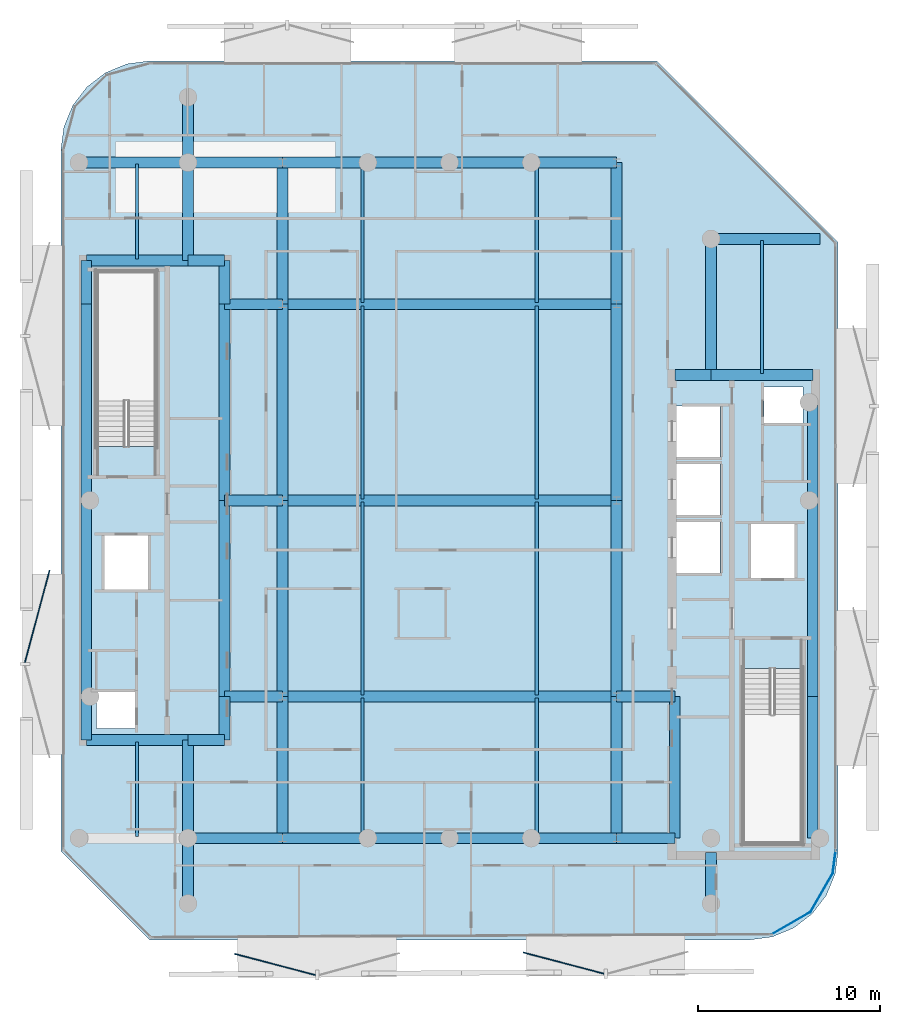
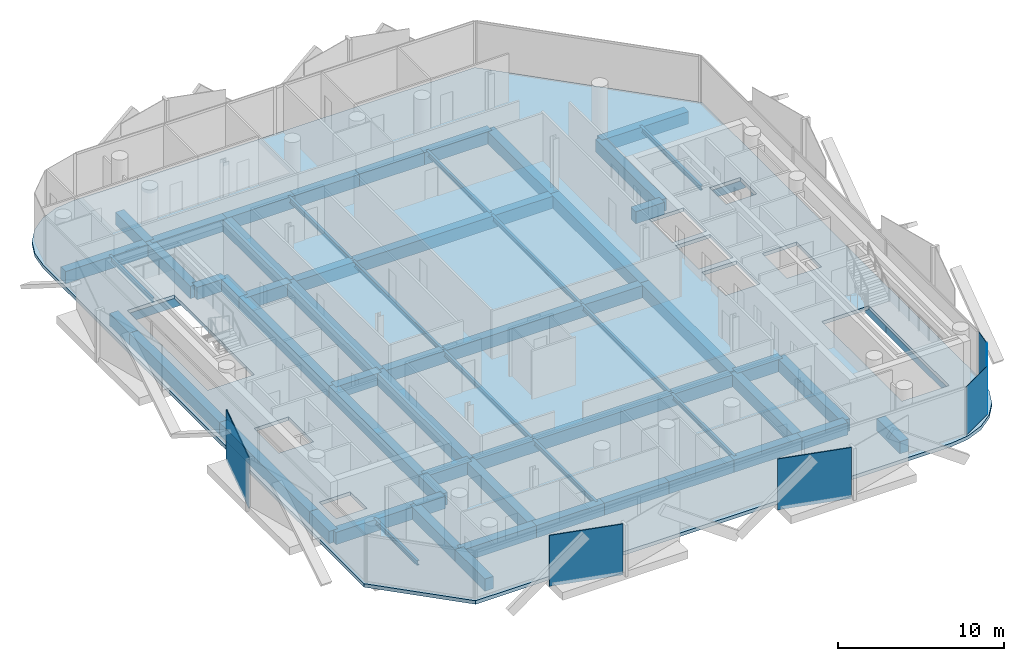
# One storey, part 3 of 16: 63 beams, 6 plates, 1 slab.
"""IFC4 building model written with IfcOpenShell, lengths in metres."""

from ifc_helpers import new_model, si_unit, direction, frame, origin, origin_2d, place, context, subcontext, project, spatial, polyline, rectangle, i_section, outline, extrude, material, layer, layer_set, material_profile, profile_set, type_object, element, save


model = new_model("IFC4")

# Units and contexts
model_context = context("Model", 3, precision=1e-05, world=origin(), true_north=direction((0.0, 1.0)))
body_context = subcontext(model_context, "Body", "Model", "MODEL_VIEW")
ifc_project = project(units=[si_unit("LENGTHUNIT", "METRE"), si_unit("AREAUNIT", "SQUARE_METRE"), si_unit("VOLUMEUNIT", "CUBIC_METRE"), si_unit("PLANEANGLEUNIT", "RADIAN"), si_unit("MASSUNIT", "GRAM", prefix="KILO")], contexts=[model_context])

# Site, building, storey
site_placement = place(None, origin())
site = spatial("IfcSite", under=ifc_project, at=site_placement, CompositionType="ELEMENT")
building_placement = place(site_placement, origin())
building = spatial("IfcBuilding", under=site, at=building_placement, Name="Khairoan Windgate Tower", CompositionType="ELEMENT")
storey_placement = place(building_placement, frame((0.0, 0.0, 277.60009765625)))
storey = spatial("IfcBuildingStorey", under=building, at=storey_placement, Name="L66", CompositionType="ELEMENT", Elevation=277.60009765625)

# Beams
ifc_material_1 = material(Name="Concrete C50/60", Category="concrete")
ifc_material_profile_1 = material_profile(ifc_material_1, rectangle(XDim=0.60009765625, YDim=0.89990234375, at=origin_2d()))
ifc_profile_set_1 = profile_set([ifc_material_profile_1], Name="Concrete C50/60")
beam_type_1 = type_object("IfcBeamType", Name="Beam B-RC1 RC600x900", PredefinedType="BEAM", material=ifc_profile_set_1)
beam_1_placement = place(storey_placement, frame((-14.39990234375, -18.60009765625, -0.710205078125), z_axis=(1.0, 0.0, 0.0), x_axis=(0.0, 1.0, 0.0)))
element("IfcBeam", 1, at=beam_1_placement, inside=storey, type_object=beam_type_1, Name="L66 E-W Primary Girder 02", PredefinedType="BEAM", context=body_context, shape_type="SweptSolid", body=[
    extrude(rectangle(XDim=0.60009765625, YDim=0.89990234375, at=origin_2d()), origin(), (0.0, 0.0, 1.0), 5.199951171875),
])
beam_2_placement = place(storey_placement, frame((-9.199951171875, -18.60009765625, -0.710205078125), z_axis=(1.0, 0.0, 0.0), x_axis=(0.0, 1.0, 0.0)))
element("IfcBeam", 2, at=beam_2_placement, inside=storey, type_object=beam_type_1, Name="L66 E-W Primary Girder 03", PredefinedType="BEAM", context=body_context, shape_type="SweptSolid", body=[
    extrude(rectangle(XDim=0.60009765625, YDim=0.89990234375, at=origin_2d()), origin(), (0.0, 0.0, 1.0), 4.699951171875),
])
for number, where, z_axis, x_axis, name in (
    (3, (-4.5, -18.60009765625, -0.710205078125), (1.0, 0.0, 0.0), (0.0, 1.0, 0.0), "L66 E-W Primary Girder 04"),
    (4, (0.0, -18.60009765625, -0.710205078125), (1.0, 0.0, 0.0), (0.0, 1.0, 0.0), "L66 E-W Primary Girder 05"),
):
    element("IfcBeam", number, at=place(storey_placement, frame(where, z_axis=z_axis, x_axis=x_axis)), inside=storey, type_object=beam_type_1, Name=name, PredefinedType="BEAM", context=body_context, shape_type="SweptSolid", body=[
        extrude(rectangle(XDim=0.60009765625, YDim=0.89990234375, at=origin_2d()), origin(), (0.0, 0.0, 1.0), 4.5),
    ])
beam_3_placement = place(storey_placement, frame((4.5, -18.60009765625, -0.710205078125), z_axis=(1.0, 0.0, 0.0), x_axis=(0.0, 1.0, 0.0)))
element("IfcBeam", 5, at=beam_3_placement, inside=storey, type_object=beam_type_1, Name="L66 E-W Primary Girder 06", PredefinedType="BEAM", context=body_context, shape_type="SweptSolid", body=[
    extrude(rectangle(XDim=0.60009765625, YDim=0.89990234375, at=origin_2d()), origin(), (0.0, 0.0, 1.0), 4.699951171875),
])
beam_4_placement = place(storey_placement, frame((9.199951171875, -18.60009765625, -0.710205078125), z_axis=(1.0, 0.0, 0.0), x_axis=(0.0, 1.0, 0.0)))
element("IfcBeam", 6, at=beam_4_placement, inside=storey, type_object=beam_type_1, Name="L66 E-W Primary Girder 07", PredefinedType="BEAM", context=body_context, shape_type="SweptSolid", body=[
    extrude(rectangle(XDim=0.60009765625, YDim=0.89990234375, at=origin_2d()), origin(), (0.0, 0.0, 1.0), 3.199951171875),
])
beam_5_placement = place(storey_placement, frame((-20.0, -13.199951171875, -0.710205078125), z_axis=(1.0, 0.0, 0.0), x_axis=(0.0, 1.0, 0.0)))
element("IfcBeam", 7, at=beam_5_placement, inside=storey, type_object=beam_type_1, Name="L66 E-W Primary Girder 08", PredefinedType="BEAM", context=body_context, shape_type="SweptSolid", body=[
    extrude(rectangle(XDim=0.60009765625, YDim=0.89990234375, at=origin_2d()), origin(), (0.0, 0.0, 1.0), 5.60009765625),
])
beam_6_placement = place(storey_placement, frame((-14.39990234375, -13.199951171875, -0.710205078125), z_axis=(1.0, 0.0, 0.0), x_axis=(0.0, 1.0, 0.0)))
element("IfcBeam", 8, at=beam_6_placement, inside=storey, type_object=beam_type_1, Name="L66 E-W Primary Girder 09", PredefinedType="BEAM", context=body_context, shape_type="SweptSolid", body=[
    extrude(rectangle(XDim=0.60009765625, YDim=0.89990234375, at=origin_2d()), origin(), (0.0, 0.0, 1.0), 2.0),
])
beam_7_placement = place(storey_placement, frame((-12.39990234375, -10.800048828125, -0.710205078125), z_axis=(1.0, 0.0, 0.0), x_axis=(0.0, 1.0, 0.0)))
element("IfcBeam", 9, at=beam_7_placement, inside=storey, type_object=beam_type_1, Name="L66 E-W Primary Girder 10", PredefinedType="BEAM", context=body_context, shape_type="SweptSolid", body=[
    extrude(rectangle(XDim=0.60009765625, YDim=0.89990234375, at=origin_2d()), origin(), (0.0, 0.0, 1.0), 3.199951171875),
])
beam_8_placement = place(storey_placement, frame((-9.199951171875, -10.800048828125, -0.710205078125), z_axis=(1.0, 0.0, 0.0), x_axis=(0.0, 1.0, 0.0)))
element("IfcBeam", 10, at=beam_8_placement, inside=storey, type_object=beam_type_1, Name="L66 E-W Primary Girder 11", PredefinedType="BEAM", context=body_context, shape_type="SweptSolid", body=[
    extrude(rectangle(XDim=0.60009765625, YDim=0.89990234375, at=origin_2d()), origin(), (0.0, 0.0, 1.0), 18.39990234375),
])
for number, where, z_axis, x_axis, name in (
    (11, (9.199951171875, -10.800048828125, -0.710205078125), (1.0, 0.0, 0.0), (0.0, 1.0, 0.0), "L66 E-W Primary Girder 12"),
    (12, (-12.39990234375, 0.0, -0.710205078125), (1.0, 0.0, 0.0), (0.0, 1.0, 0.0), "L66 E-W Primary Girder 13"),
):
    element("IfcBeam", number, at=place(storey_placement, frame(where, z_axis=z_axis, x_axis=x_axis)), inside=storey, type_object=beam_type_1, Name=name, PredefinedType="BEAM", context=body_context, shape_type="SweptSolid", body=[
        extrude(rectangle(XDim=0.60009765625, YDim=0.89990234375, at=origin_2d()), origin(), (0.0, 0.0, 1.0), 3.199951171875),
    ])
beam_9_placement = place(storey_placement, frame((-9.199951171875, 0.0, -0.710205078125), z_axis=(1.0, 0.0, 0.0), x_axis=(0.0, 1.0, 0.0)))
element("IfcBeam", 13, at=beam_9_placement, inside=storey, type_object=beam_type_1, Name="L66 E-W Primary Girder 14", PredefinedType="BEAM", context=body_context, shape_type="SweptSolid", body=[
    extrude(rectangle(XDim=0.60009765625, YDim=0.89990234375, at=origin_2d()), origin(), (0.0, 0.0, 1.0), 18.39990234375),
])
beam_10_placement = place(storey_placement, frame((12.39990234375, 6.89990234375, -0.710205078125), z_axis=(1.0, 0.0, 0.0), x_axis=(0.0, 1.0, 0.0)))
element("IfcBeam", 14, at=beam_10_placement, inside=storey, type_object=beam_type_1, Name="L66 E-W Primary Girder 15", PredefinedType="BEAM", context=body_context, shape_type="SweptSolid", body=[
    extrude(rectangle(XDim=0.60009765625, YDim=0.89990234375, at=origin_2d()), origin(), (0.0, 0.0, 1.0), 2.0),
])
beam_11_placement = place(storey_placement, frame((14.39990234375, 6.89990234375, -0.710205078125), z_axis=(1.0, 0.0, 0.0), x_axis=(0.0, 1.0, 0.0)))
element("IfcBeam", 15, at=beam_11_placement, inside=storey, type_object=beam_type_1, Name="L66 E-W Primary Girder 16", PredefinedType="BEAM", context=body_context, shape_type="SweptSolid", body=[
    extrude(rectangle(XDim=0.60009765625, YDim=0.89990234375, at=origin_2d()), origin(), (0.0, 0.0, 1.0), 5.60009765625),
])
beam_12_placement = place(storey_placement, frame((-12.39990234375, 10.800048828125, -0.710205078125), z_axis=(1.0, 0.0, 0.0), x_axis=(0.0, 1.0, 0.0)))
element("IfcBeam", 16, at=beam_12_placement, inside=storey, type_object=beam_type_1, Name="L66 E-W Primary Girder 17", PredefinedType="BEAM", context=body_context, shape_type="SweptSolid", body=[
    extrude(rectangle(XDim=0.60009765625, YDim=0.89990234375, at=origin_2d()), origin(), (0.0, 0.0, 1.0), 3.199951171875),
])
beam_13_placement = place(storey_placement, frame((-9.199951171875, 10.800048828125, -0.710205078125), z_axis=(1.0, 0.0, 0.0), x_axis=(0.0, 1.0, 0.0)))
element("IfcBeam", 17, at=beam_13_placement, inside=storey, type_object=beam_type_1, Name="L66 E-W Primary Girder 18", PredefinedType="BEAM", context=body_context, shape_type="SweptSolid", body=[
    extrude(rectangle(XDim=0.60009765625, YDim=0.89990234375, at=origin_2d()), origin(), (0.0, 0.0, 1.0), 18.39990234375),
])
beam_14_placement = place(storey_placement, frame((-20.0, 13.199951171875, -0.710205078125), z_axis=(1.0, 0.0, 0.0), x_axis=(0.0, 1.0, 0.0)))
element("IfcBeam", 18, at=beam_14_placement, inside=storey, type_object=beam_type_1, Name="L66 E-W Primary Girder 19", PredefinedType="BEAM", context=body_context, shape_type="SweptSolid", body=[
    extrude(rectangle(XDim=0.60009765625, YDim=0.89990234375, at=origin_2d()), origin(), (0.0, 0.0, 1.0), 5.60009765625),
])
beam_15_placement = place(storey_placement, frame((-14.39990234375, 13.199951171875, -0.710205078125), z_axis=(1.0, 0.0, 0.0), x_axis=(0.0, 1.0, 0.0)))
element("IfcBeam", 19, at=beam_15_placement, inside=storey, type_object=beam_type_1, Name="L66 E-W Primary Girder 20", PredefinedType="BEAM", context=body_context, shape_type="SweptSolid", body=[
    extrude(rectangle(XDim=0.60009765625, YDim=0.89990234375, at=origin_2d()), origin(), (0.0, 0.0, 1.0), 2.0),
])
for number, where, z_axis, x_axis, name in (
    (20, (14.39990234375, 14.39990234375, -0.710205078125), (1.0, 0.0, 0.0), (0.0, 1.0, 0.0), "L66 E-W Primary Girder 21"),
    (21, (-20.39990234375, 18.60009765625, -0.710205078125), (1.0, 0.0, 0.0), (0.0, 1.0, 0.0), "L66 E-W Primary Girder 22"),
):
    element("IfcBeam", number, at=place(storey_placement, frame(where, z_axis=z_axis, x_axis=x_axis)), inside=storey, type_object=beam_type_1, Name=name, PredefinedType="BEAM", context=body_context, shape_type="SweptSolid", body=[
        extrude(rectangle(XDim=0.60009765625, YDim=0.89990234375, at=origin_2d()), origin(), (0.0, 0.0, 1.0), 6.0),
    ])
beam_16_placement = place(storey_placement, frame((-14.39990234375, 18.60009765625, -0.710205078125), z_axis=(1.0, 0.0, 0.0), x_axis=(0.0, 1.0, 0.0)))
element("IfcBeam", 22, at=beam_16_placement, inside=storey, type_object=beam_type_1, Name="L66 E-W Primary Girder 23", PredefinedType="BEAM", context=body_context, shape_type="SweptSolid", body=[
    extrude(rectangle(XDim=0.60009765625, YDim=0.89990234375, at=origin_2d()), origin(), (0.0, 0.0, 1.0), 5.199951171875),
])
beam_17_placement = place(storey_placement, frame((-9.199951171875, 18.60009765625, -0.710205078125), z_axis=(1.0, 0.0, 0.0), x_axis=(0.0, 1.0, 0.0)))
element("IfcBeam", 23, at=beam_17_placement, inside=storey, type_object=beam_type_1, Name="L66 E-W Primary Girder 24", PredefinedType="BEAM", context=body_context, shape_type="SweptSolid", body=[
    extrude(rectangle(XDim=0.60009765625, YDim=0.89990234375, at=origin_2d()), origin(), (0.0, 0.0, 1.0), 4.699951171875),
])
for number, where, z_axis, x_axis, name in (
    (24, (-4.5, 18.60009765625, -0.710205078125), (1.0, 0.0, 0.0), (0.0, 1.0, 0.0), "L66 E-W Primary Girder 25"),
    (25, (0.0, 18.60009765625, -0.710205078125), (1.0, 0.0, 0.0), (0.0, 1.0, 0.0), "L66 E-W Primary Girder 26"),
):
    element("IfcBeam", number, at=place(storey_placement, frame(where, z_axis=z_axis, x_axis=x_axis)), inside=storey, type_object=beam_type_1, Name=name, PredefinedType="BEAM", context=body_context, shape_type="SweptSolid", body=[
        extrude(rectangle(XDim=0.60009765625, YDim=0.89990234375, at=origin_2d()), origin(), (0.0, 0.0, 1.0), 4.5),
    ])
beam_18_placement = place(storey_placement, frame((4.5, 18.60009765625, -0.710205078125), z_axis=(1.0, 0.0, 0.0), x_axis=(0.0, 1.0, 0.0)))
element("IfcBeam", 26, at=beam_18_placement, inside=storey, type_object=beam_type_1, Name="L66 E-W Primary Girder 27", PredefinedType="BEAM", context=body_context, shape_type="SweptSolid", body=[
    extrude(rectangle(XDim=0.60009765625, YDim=0.89990234375, at=origin_2d()), origin(), (0.0, 0.0, 1.0), 4.699951171875),
])
beam_19_placement = place(storey_placement, frame((-20.0, -13.199951171875, -0.710205078125), z_axis=(0.0, 1.0, 0.0), x_axis=(-1.0, 0.0, 0.0)))
element("IfcBeam", 27, at=beam_19_placement, inside=storey, type_object=beam_type_1, Name="L66 N-S Primary Beam 28", PredefinedType="BEAM", context=body_context, shape_type="SweptSolid", body=[
    extrude(rectangle(XDim=0.60009765625, YDim=0.89990234375, at=origin_2d()), origin(), (0.0, 0.0, 1.0), 2.39990234375),
])
for number, where, z_axis, x_axis, name in (
    (28, (-20.0, -10.800048828125, -0.710205078125), (0.0, 1.0, 0.0), (-1.0, 0.0, 0.0), "L66 N-S Primary Beam 29"),
    (29, (-20.0, 0.0, -0.710205078125), (0.0, 1.0, 0.0), (-1.0, 0.0, 0.0), "L66 N-S Primary Beam 30"),
):
    element("IfcBeam", number, at=place(storey_placement, frame(where, z_axis=z_axis, x_axis=x_axis)), inside=storey, type_object=beam_type_1, Name=name, PredefinedType="BEAM", context=body_context, shape_type="SweptSolid", body=[
        extrude(rectangle(XDim=0.60009765625, YDim=0.89990234375, at=origin_2d()), origin(), (0.0, 0.0, 1.0), 10.800048828125),
    ])
beam_20_placement = place(storey_placement, frame((-20.0, 10.800048828125, -0.710205078125), z_axis=(0.0, 1.0, 0.0), x_axis=(-1.0, 0.0, 0.0)))
element("IfcBeam", 30, at=beam_20_placement, inside=storey, type_object=beam_type_1, Name="L66 N-S Primary Beam 31", PredefinedType="BEAM", context=body_context, shape_type="SweptSolid", body=[
    extrude(rectangle(XDim=0.60009765625, YDim=0.89990234375, at=origin_2d()), origin(), (0.0, 0.0, 1.0), 2.39990234375),
])
beam_21_placement = place(storey_placement, frame((-14.39990234375, -22.199951171875, -0.710205078125), z_axis=(0.0, 1.0, 0.0), x_axis=(-1.0, 0.0, 0.0)))
element("IfcBeam", 31, at=beam_21_placement, inside=storey, type_object=beam_type_1, Name="L66 N-S Primary Beam 32", PredefinedType="BEAM", context=body_context, shape_type="SweptSolid", body=[
    extrude(rectangle(XDim=0.60009765625, YDim=0.89990234375, at=origin_2d()), origin(), (0.0, 0.0, 1.0), 3.599853515625),
])
for number, where, z_axis, x_axis, name in (
    (32, (-14.39990234375, -18.60009765625, -0.710205078125), (0.0, 1.0, 0.0), (-1.0, 0.0, 0.0), "L66 N-S Primary Beam 33"),
    (33, (-14.39990234375, 13.199951171875, -0.710205078125), (0.0, 1.0, 0.0), (-1.0, 0.0, 0.0), "L66 N-S Primary Beam 34"),
):
    element("IfcBeam", number, at=place(storey_placement, frame(where, z_axis=z_axis, x_axis=x_axis)), inside=storey, type_object=beam_type_1, Name=name, PredefinedType="BEAM", context=body_context, shape_type="SweptSolid", body=[
        extrude(rectangle(XDim=0.60009765625, YDim=0.89990234375, at=origin_2d()), origin(), (0.0, 0.0, 1.0), 5.400146484375),
    ])
beam_22_placement = place(storey_placement, frame((-14.39990234375, 18.60009765625, -0.710205078125), z_axis=(0.0, 1.0, 0.0), x_axis=(-1.0, 0.0, 0.0)))
element("IfcBeam", 34, at=beam_22_placement, inside=storey, type_object=beam_type_1, Name="L66 N-S Primary Beam 35", PredefinedType="BEAM", context=body_context, shape_type="SweptSolid", body=[
    extrude(rectangle(XDim=0.60009765625, YDim=0.89990234375, at=origin_2d()), origin(), (0.0, 0.0, 1.0), 3.599853515625),
])
beam_23_placement = place(storey_placement, frame((-12.39990234375, -13.199951171875, -0.710205078125), z_axis=(0.0, 1.0, 0.0), x_axis=(-1.0, 0.0, 0.0)))
element("IfcBeam", 35, at=beam_23_placement, inside=storey, type_object=beam_type_1, Name="L66 N-S Primary Beam 36", PredefinedType="BEAM", context=body_context, shape_type="SweptSolid", body=[
    extrude(rectangle(XDim=0.60009765625, YDim=0.89990234375, at=origin_2d()), origin(), (0.0, 0.0, 1.0), 2.39990234375),
])
for number, where, z_axis, x_axis, name in (
    (36, (-12.39990234375, -10.800048828125, -0.710205078125), (0.0, 1.0, 0.0), (-1.0, 0.0, 0.0), "L66 N-S Primary Beam 37"),
    (37, (-12.39990234375, 0.0, -0.710205078125), (0.0, 1.0, 0.0), (-1.0, 0.0, 0.0), "L66 N-S Primary Beam 38"),
):
    element("IfcBeam", number, at=place(storey_placement, frame(where, z_axis=z_axis, x_axis=x_axis)), inside=storey, type_object=beam_type_1, Name=name, PredefinedType="BEAM", context=body_context, shape_type="SweptSolid", body=[
        extrude(rectangle(XDim=0.60009765625, YDim=0.89990234375, at=origin_2d()), origin(), (0.0, 0.0, 1.0), 10.800048828125),
    ])
beam_24_placement = place(storey_placement, frame((-12.39990234375, 10.800048828125, -0.710205078125), z_axis=(0.0, 1.0, 0.0), x_axis=(-1.0, 0.0, 0.0)))
element("IfcBeam", 38, at=beam_24_placement, inside=storey, type_object=beam_type_1, Name="L66 N-S Primary Beam 39", PredefinedType="BEAM", context=body_context, shape_type="SweptSolid", body=[
    extrude(rectangle(XDim=0.60009765625, YDim=0.89990234375, at=origin_2d()), origin(), (0.0, 0.0, 1.0), 2.39990234375),
])
beam_25_placement = place(storey_placement, frame((-9.199951171875, -18.60009765625, -0.710205078125), z_axis=(0.0, 1.0, 0.0), x_axis=(-1.0, 0.0, 0.0)))
element("IfcBeam", 39, at=beam_25_placement, inside=storey, type_object=beam_type_1, Name="L66 N-S Primary Beam 40", PredefinedType="BEAM", context=body_context, shape_type="SweptSolid", body=[
    extrude(rectangle(XDim=0.60009765625, YDim=0.89990234375, at=origin_2d()), origin(), (0.0, 0.0, 1.0), 7.800048828125),
])
for number, where, z_axis, x_axis, name in (
    (40, (-9.199951171875, -10.800048828125, -0.710205078125), (0.0, 1.0, 0.0), (-1.0, 0.0, 0.0), "L66 N-S Primary Beam 41"),
    (41, (-9.199951171875, 0.0, -0.710205078125), (0.0, 1.0, 0.0), (-1.0, 0.0, 0.0), "L66 N-S Primary Beam 42"),
):
    element("IfcBeam", number, at=place(storey_placement, frame(where, z_axis=z_axis, x_axis=x_axis)), inside=storey, type_object=beam_type_1, Name=name, PredefinedType="BEAM", context=body_context, shape_type="SweptSolid", body=[
        extrude(rectangle(XDim=0.60009765625, YDim=0.89990234375, at=origin_2d()), origin(), (0.0, 0.0, 1.0), 10.800048828125),
    ])
for number, where, z_axis, x_axis, name in (
    (42, (-9.199951171875, 10.800048828125, -0.710205078125), (0.0, 1.0, 0.0), (-1.0, 0.0, 0.0), "L66 N-S Primary Beam 43"),
    (43, (9.199951171875, -18.60009765625, -0.710205078125), (0.0, 1.0, 0.0), (-1.0, 0.0, 0.0), "L66 N-S Primary Beam 44"),
):
    element("IfcBeam", number, at=place(storey_placement, frame(where, z_axis=z_axis, x_axis=x_axis)), inside=storey, type_object=beam_type_1, Name=name, PredefinedType="BEAM", context=body_context, shape_type="SweptSolid", body=[
        extrude(rectangle(XDim=0.60009765625, YDim=0.89990234375, at=origin_2d()), origin(), (0.0, 0.0, 1.0), 7.800048828125),
    ])
for number, where, z_axis, x_axis, name in (
    (44, (9.199951171875, -10.800048828125, -0.710205078125), (0.0, 1.0, 0.0), (-1.0, 0.0, 0.0), "L66 N-S Primary Beam 45"),
    (45, (9.199951171875, 0.0, -0.710205078125), (0.0, 1.0, 0.0), (-1.0, 0.0, 0.0), "L66 N-S Primary Beam 46"),
):
    element("IfcBeam", number, at=place(storey_placement, frame(where, z_axis=z_axis, x_axis=x_axis)), inside=storey, type_object=beam_type_1, Name=name, PredefinedType="BEAM", context=body_context, shape_type="SweptSolid", body=[
        extrude(rectangle(XDim=0.60009765625, YDim=0.89990234375, at=origin_2d()), origin(), (0.0, 0.0, 1.0), 10.800048828125),
    ])
for number, where, z_axis, x_axis, name in (
    (46, (9.199951171875, 10.800048828125, -0.710205078125), (0.0, 1.0, 0.0), (-1.0, 0.0, 0.0), "L66 N-S Primary Beam 47"),
    (47, (12.39990234375, -18.60009765625, -0.710205078125), (0.0, 1.0, 0.0), (-1.0, 0.0, 0.0), "L66 N-S Primary Beam 48"),
):
    element("IfcBeam", number, at=place(storey_placement, frame(where, z_axis=z_axis, x_axis=x_axis)), inside=storey, type_object=beam_type_1, Name=name, PredefinedType="BEAM", context=body_context, shape_type="SweptSolid", body=[
        extrude(rectangle(XDim=0.60009765625, YDim=0.89990234375, at=origin_2d()), origin(), (0.0, 0.0, 1.0), 7.800048828125),
    ])
beam_26_placement = place(storey_placement, frame((14.39990234375, -22.199951171875, -0.710205078125), z_axis=(0.0, 1.0, 0.0), x_axis=(-1.0, 0.0, 0.0)))
element("IfcBeam", 48, at=beam_26_placement, inside=storey, type_object=beam_type_1, Name="L66 N-S Primary Beam 49", PredefinedType="BEAM", context=body_context, shape_type="SweptSolid", body=[
    extrude(rectangle(XDim=0.60009765625, YDim=0.89990234375, at=origin_2d()), origin(), (0.0, 0.0, 1.0), 2.800048828125),
])
beam_27_placement = place(storey_placement, frame((14.39990234375, 6.89990234375, -0.710205078125), z_axis=(0.0, 1.0, 0.0), x_axis=(-1.0, 0.0, 0.0)))
element("IfcBeam", 49, at=beam_27_placement, inside=storey, type_object=beam_type_1, Name="L66 N-S Primary Beam 50", PredefinedType="BEAM", context=body_context, shape_type="SweptSolid", body=[
    extrude(rectangle(XDim=0.60009765625, YDim=0.89990234375, at=origin_2d()), origin(), (0.0, 0.0, 1.0), 7.5),
])
beam_28_placement = place(storey_placement, frame((20.0, -18.60009765625, -0.710205078125), z_axis=(0.0, 1.0, 0.0), x_axis=(-1.0, 0.0, 0.0)))
element("IfcBeam", 50, at=beam_28_placement, inside=storey, type_object=beam_type_1, Name="L66 N-S Primary Beam 51", PredefinedType="BEAM", context=body_context, shape_type="SweptSolid", body=[
    extrude(rectangle(XDim=0.60009765625, YDim=0.89990234375, at=origin_2d()), origin(), (0.0, 0.0, 1.0), 7.800048828125),
])
beam_29_placement = place(storey_placement, frame((20.0, -10.800048828125, -0.710205078125), z_axis=(0.0, 1.0, 0.0), x_axis=(-1.0, 0.0, 0.0)))
element("IfcBeam", 51, at=beam_29_placement, inside=storey, type_object=beam_type_1, Name="L66 N-S Primary Beam 52", PredefinedType="BEAM", context=body_context, shape_type="SweptSolid", body=[
    extrude(rectangle(XDim=0.60009765625, YDim=0.89990234375, at=origin_2d()), origin(), (0.0, 0.0, 1.0), 10.800048828125),
])
beam_30_placement = place(storey_placement, frame((20.0, 0.0, -0.710205078125), z_axis=(0.0, 1.0, 0.0), x_axis=(-1.0, 0.0, 0.0)))
element("IfcBeam", 52, at=beam_30_placement, inside=storey, type_object=beam_type_1, Name="L66 N-S Primary Beam 53", PredefinedType="BEAM", context=body_context, shape_type="SweptSolid", body=[
    extrude(rectangle(XDim=0.60009765625, YDim=0.89990234375, at=origin_2d()), origin(), (0.0, 0.0, 1.0), 5.39990234375),
])
ifc_material_2 = material(Name="Steel S355", Category="steel")
ifc_material_profile_2 = material_profile(ifc_material_2, i_section(OverallWidth=0.175048828125, OverallDepth=0.35009765625, WebThickness=0.007080078125, FlangeThickness=0.010986328125, FilletRadius=0.013916015625, at=origin_2d()))
ifc_profile_set_2 = profile_set([ifc_material_profile_2], Name="Steel S355")
beam_type_2 = type_object("IfcBeamType", Name="Beam J-S5 H350x175x7x11", PredefinedType="JOIST", material=ifc_profile_set_2)
for number, where, z_axis, x_axis, name in (
    (53, (-17.199951171875, -18.510009765625, -0.43505859375), (0.0, 1.0, 0.0), (-1.0, 0.0, 0.0), "L66 Secondary Floor Joist 01"),
    (54, (-17.199951171875, 13.2900390625, -0.43505859375), (0.0, 1.0, 0.0), (-1.0, 0.0, 0.0), "L66 Secondary Floor Joist 02"),
):
    element("IfcBeam", number, at=place(storey_placement, frame(where, z_axis=z_axis, x_axis=x_axis)), inside=storey, type_object=beam_type_2, Name=name, PredefinedType="JOIST", context=body_context, shape_type="SweptSolid", body=[
        extrude(i_section(OverallWidth=0.175048828125, OverallDepth=0.35009765625, WebThickness=0.007080078125, FlangeThickness=0.010986328125, FilletRadius=0.013916015625, at=origin_2d()), origin(), (0.0, 0.0, 1.0), 5.219970703125),
    ])
beam_31_placement = place(storey_placement, frame((-4.800048828125, -18.510009765625, -0.43505859375), z_axis=(0.0, 1.0, 0.0), x_axis=(-1.0, 0.0, 0.0)))
element("IfcBeam", 55, at=beam_31_placement, inside=storey, type_object=beam_type_2, Name="L66 Secondary Floor Joist 03", PredefinedType="JOIST", context=body_context, shape_type="SweptSolid", body=[
    extrude(i_section(OverallWidth=0.175048828125, OverallDepth=0.35009765625, WebThickness=0.007080078125, FlangeThickness=0.010986328125, FilletRadius=0.013916015625, at=origin_2d()), origin(), (0.0, 0.0, 1.0), 7.6201171875),
])
for number, where, z_axis, x_axis, name in (
    (56, (-4.800048828125, -10.7099609375, -0.43505859375), (0.0, 1.0, 0.0), (-1.0, 0.0, 0.0), "L66 Secondary Floor Joist 04"),
    (57, (-4.800048828125, 0.090087890625, -0.43505859375), (0.0, 1.0, 0.0), (-1.0, 0.0, 0.0), "L66 Secondary Floor Joist 05"),
):
    element("IfcBeam", number, at=place(storey_placement, frame(where, z_axis=z_axis, x_axis=x_axis)), inside=storey, type_object=beam_type_2, Name=name, PredefinedType="JOIST", context=body_context, shape_type="SweptSolid", body=[
        extrude(i_section(OverallWidth=0.175048828125, OverallDepth=0.35009765625, WebThickness=0.007080078125, FlangeThickness=0.010986328125, FilletRadius=0.013916015625, at=origin_2d()), origin(), (0.0, 0.0, 1.0), 10.619873046875),
    ])
for number, where, z_axis, x_axis, name in (
    (58, (-4.800048828125, 10.889892578125, -0.43505859375), (0.0, 1.0, 0.0), (-1.0, 0.0, 0.0), "L66 Secondary Floor Joist 06"),
    (59, (4.800048828125, -18.510009765625, -0.43505859375), (0.0, 1.0, 0.0), (-1.0, 0.0, 0.0), "L66 Secondary Floor Joist 07"),
):
    element("IfcBeam", number, at=place(storey_placement, frame(where, z_axis=z_axis, x_axis=x_axis)), inside=storey, type_object=beam_type_2, Name=name, PredefinedType="JOIST", context=body_context, shape_type="SweptSolid", body=[
        extrude(i_section(OverallWidth=0.175048828125, OverallDepth=0.35009765625, WebThickness=0.007080078125, FlangeThickness=0.010986328125, FilletRadius=0.013916015625, at=origin_2d()), origin(), (0.0, 0.0, 1.0), 7.6201171875),
    ])
for number, where, z_axis, x_axis, name in (
    (60, (4.800048828125, -10.7099609375, -0.43505859375), (0.0, 1.0, 0.0), (-1.0, 0.0, 0.0), "L66 Secondary Floor Joist 08"),
    (61, (4.800048828125, 0.090087890625, -0.43505859375), (0.0, 1.0, 0.0), (-1.0, 0.0, 0.0), "L66 Secondary Floor Joist 09"),
):
    element("IfcBeam", number, at=place(storey_placement, frame(where, z_axis=z_axis, x_axis=x_axis)), inside=storey, type_object=beam_type_2, Name=name, PredefinedType="JOIST", context=body_context, shape_type="SweptSolid", body=[
        extrude(i_section(OverallWidth=0.175048828125, OverallDepth=0.35009765625, WebThickness=0.007080078125, FlangeThickness=0.010986328125, FilletRadius=0.013916015625, at=origin_2d()), origin(), (0.0, 0.0, 1.0), 10.619873046875),
    ])
beam_32_placement = place(storey_placement, frame((4.800048828125, 10.889892578125, -0.43505859375), z_axis=(0.0, 1.0, 0.0), x_axis=(-1.0, 0.0, 0.0)))
element("IfcBeam", 62, at=beam_32_placement, inside=storey, type_object=beam_type_2, Name="L66 Secondary Floor Joist 10", PredefinedType="JOIST", context=body_context, shape_type="SweptSolid", body=[
    extrude(i_section(OverallWidth=0.175048828125, OverallDepth=0.35009765625, WebThickness=0.007080078125, FlangeThickness=0.010986328125, FilletRadius=0.013916015625, at=origin_2d()), origin(), (0.0, 0.0, 1.0), 7.6201171875),
])
beam_33_placement = place(storey_placement, frame((17.199951171875, 6.989990234375, -0.43505859375), z_axis=(0.0, 1.0, 0.0), x_axis=(-1.0, 0.0, 0.0)))
element("IfcBeam", 63, at=beam_33_placement, inside=storey, type_object=beam_type_2, Name="L66 Secondary Floor Joist 11", PredefinedType="JOIST", context=body_context, shape_type="SweptSolid", body=[
    extrude(i_section(OverallWidth=0.175048828125, OverallDepth=0.35009765625, WebThickness=0.007080078125, FlangeThickness=0.010986328125, FilletRadius=0.013916015625, at=origin_2d()), origin(), (0.0, 0.0, 1.0), 7.320068359375),
])

# Plates
ifc_material_3 = material(Name="Low-E Solar Control Laminated Glass", Category="glass")
ifc_layer_1 = layer(ifc_material_3, 0.030029296875, Name="Low-E Solar Control Laminated Glass")
ifc_layer_set_1 = layer_set([ifc_layer_1], Name="Low-E Solar Control Laminated Glass")
plate_type_1 = type_object("IfcPlateType", Name="Aerodynamic Wind-Corner Curved Glazing Plate", PredefinedType="USERDEFINED", material=ifc_layer_set_1)
plate_1_placement = place(storey_placement, frame((21.17822265625, -19.911376953125, 0.0), z_axis=(0.0, 0.0, 1.0), x_axis=(-0.13052619222, -0.991444861374, 0.0)))
element("IfcPlate", 64, at=plate_1_placement, inside=storey, type_object=plate_type_1, Name="L66 Aerodynamic Wind-Corner Curved Glazing Panel 10", ObjectType="GLAZING PANEL", PredefinedType="USERDEFINED", context=body_context, shape_type="SweptSolid", body=[
    extrude(rectangle(XDim=1.29150390625, YDim=0.035888671875, at=origin_2d()), origin(), (0.0, 0.0, 1.0), 3.5400390625),
])
for number, where, z_axis, x_axis, name in (
    (65, (20.480712890625, -21.598388671875, 0.0), (0.0, 0.0, 1.0), (-0.5, -0.866025403784, 0.0), "L66 Aerodynamic Wind-Corner Curved Glazing Panel 11"),
    (66, (18.79833984375, -23.28076171875, 0.0), (0.0, 0.0, 1.0), (-0.866025403784, -0.5, 0.0), "L66 Aerodynamic Wind-Corner Curved Glazing Panel 12"),
):
    element("IfcPlate", number, at=place(storey_placement, frame(where, z_axis=z_axis, x_axis=x_axis)), inside=storey, type_object=plate_type_1, Name=name, ObjectType="GLAZING PANEL", PredefinedType="USERDEFINED", context=body_context, shape_type="SweptSolid", body=[
        extrude(rectangle(XDim=2.50341796875, YDim=0.035888671875, at=origin_2d()), origin(), (0.0, 0.0, 1.0), 3.5400390625),
    ])
ifc_material_4 = material(Name="Anodised Bronze Aluminium 6063-T6", Category="aluminium")
ifc_layer_2 = layer(ifc_material_4, 0.054931640625, Name="Anodised Bronze Aluminium 6063-T6")
ifc_layer_set_2 = layer_set([ifc_layer_2], Name="Anodised Bronze Aluminium 6063-T6")
plate_type_2 = type_object("IfcPlateType", Name="Perforated Bronze Solar Screen Upper Panel BSP-2", PredefinedType="USERDEFINED", material=ifc_layer_set_2)
for number, where, z_axis, x_axis, name in (
    (67, (6.280517578125, -25.47509765625, -0.10009765625), (0.0, 0.0, 1.0), (-0.967134752842, 0.254264369988, 0.0), "L66 Perforated Bronze Solar Screen Panel 454R"),
    (68, (-9.606201171875, -25.551025390625, -0.10009765625), (0.0, 0.0, 1.0), (-0.967134752842, 0.254264369988, 0.0), "L66 Perforated Bronze Solar Screen Panel 455R"),
):
    element("IfcPlate", number, at=place(storey_placement, frame(where, z_axis=z_axis, x_axis=x_axis)), inside=storey, type_object=plate_type_2, Name=name, ObjectType="SCREEN", PredefinedType="USERDEFINED", context=body_context, shape_type="SweptSolid", body=[
        extrude(rectangle(XDim=4.60693359375, YDim=0.054931640625, at=origin_2d()), origin(), (0.0, 0.0, 1.0), 3.739990234375),
    ])
plate_2_placement = place(storey_placement, frame((-22.701904296875, -6.388671875, -0.10009765625), z_axis=(0.0, 0.0, 1.0), x_axis=(0.258819045103, 0.965925826289, 0.0)))
element("IfcPlate", 69, at=plate_2_placement, inside=storey, type_object=plate_type_2, Name="L66 Perforated Bronze Solar Screen Panel 456R", ObjectType="SCREEN", PredefinedType="USERDEFINED", context=body_context, shape_type="SweptSolid", body=[
    extrude(rectangle(XDim=5.239013671875, YDim=0.054931640625, at=origin_2d()), origin(), (0.0, 0.0, 1.0), 3.739990234375),
])

# Slab
ifc_material_5 = material(Name="Concrete C40/50", Category="concrete")
ifc_layer_3 = layer(ifc_material_5, 0.260009765625, Name="Concrete C40/50")
ifc_layer_set_3 = layer_set([ifc_layer_3], Name="Concrete C40/50")
slab_type = type_object("IfcSlabType", Name="Tower Composite Floor Slab FS2 260mm", PredefinedType="FLOOR", material=ifc_layer_set_3)
slab_placement = place(storey_placement, frame((0.0, 0.0, -0.260009765625)))
element("IfcSlab", 70, at=slab_placement, inside=storey, type_object=slab_type, Name="L66 Structural Floor Slab", PredefinedType="FLOOR", context=body_context, shape_type="SweptSolid", body=[
    extrude(outline(polyline([(16.5, -24.199951171875), (17.768310546875, -24.032958984375), (18.949951171875, -23.54345703125), (19.96484375, -22.764892578125), (20.743408203125, -21.75), (21.23291015625, -20.568115234375), (21.39990234375, -19.300048828125), (21.39990234375, 14.199951171875), (11.39990234375, 24.199951171875), (-16.5, 24.199951171875), (-17.768310546875, 24.032958984375), (-18.949951171875, 23.54345703125), (-19.96484375, 22.764892578125), (-20.743408203125, 21.75), (-21.23291015625, 20.568115234375), (-21.39990234375, 19.300048828125), (-21.39990234375, -19.300048828125), (-16.5, -24.199951171875), (16.5, -24.199951171875)]), holes=[polyline([(16.14990234375, -9.260009765625), (16.14990234375, -18.89990234375), (19.419921875, -18.89990234375), (19.419921875, -9.260009765625), (16.14990234375, -9.260009765625)]), polyline([(-16.14990234375, 2.9599609375), (-16.14990234375, 12.60009765625), (-19.419921875, 12.60009765625), (-19.419921875, 2.9599609375), (-16.14990234375, 2.9599609375)]), polyline([(12.5, 2.39990234375), (14.89990234375, 2.39990234375), (14.89990234375, 5.199951171875), (12.5, 5.199951171875), (12.5, 2.39990234375)]), polyline([(12.5, -0.800048828125), (14.89990234375, -0.800048828125), (14.89990234375, 2.0), (12.5, 2.0), (12.5, -0.800048828125)]), polyline([(12.5, -4.0), (14.89990234375, -4.0), (14.89990234375, -1.199951171875), (12.5, -1.199951171875), (12.5, -4.0)]), polyline([(16.60009765625, -4.300048828125), (19.0, -4.300048828125), (19.0, -1.300048828125), (16.60009765625, -1.300048828125), (16.60009765625, -4.300048828125)]), polyline([(-19.0, -4.89990234375), (-16.60009765625, -4.89990234375), (-16.60009765625, -1.89990234375), (-19.0, -1.89990234375), (-19.0, -4.89990234375)]), polyline([(-19.449951171875, -12.550048828125), (-17.31005859375, -12.550048828125), (-17.31005859375, -10.550048828125), (-19.449951171875, -10.550048828125), (-19.449951171875, -12.550048828125)]), polyline([(17.31005859375, 4.25), (19.449951171875, 4.25), (19.449951171875, 6.25), (17.31005859375, 6.25), (17.31005859375, 4.25)])]), origin(), (0.0, 0.0, 1.0), 0.260009765625),
])

save(model, "model.ifc")
